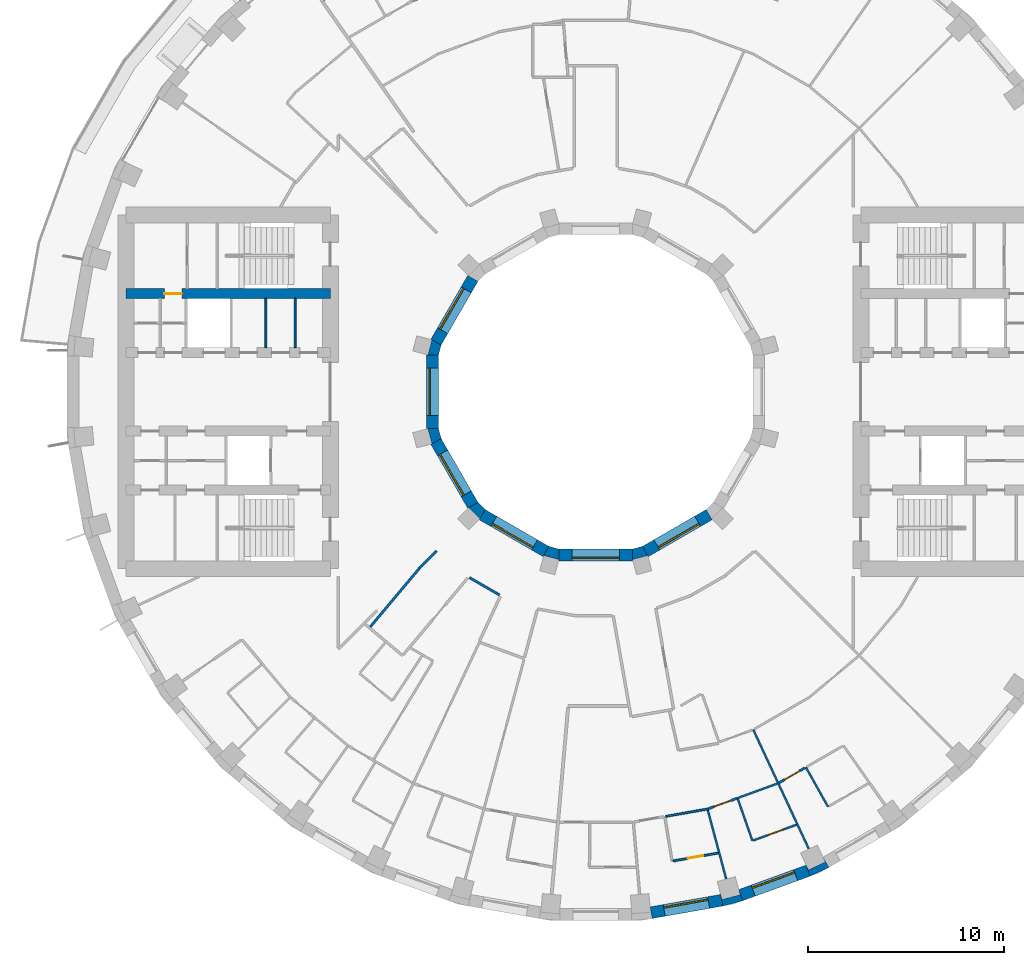
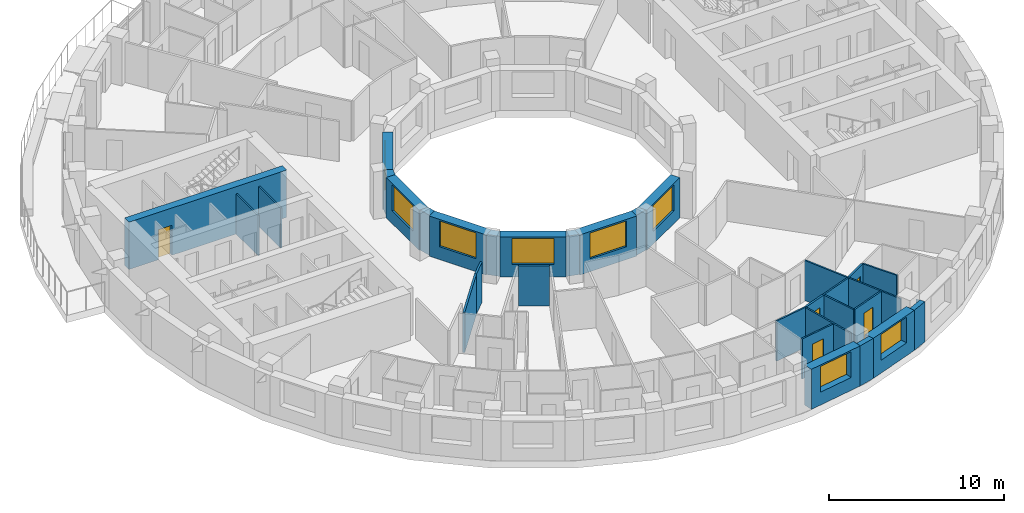
# One storey, part 7 of 15: 31 walls, 8 windows, 5 doors, 13 openings.
"""IFC4 building model written with IfcOpenShell, lengths in metres."""

import ifcopenshell
import ifcopenshell.guid

model = None  # the IFC model being written
_history = None  # IfcOwnerHistory: only IFC2X3 demands one
_inside = {}  # id of a spatial element -> (the spatial element, [elements in it])
_under = {}  # id of a project, library or spatial element -> (it, [spatial elements below it])
_declared = {}  # id of a project -> (the project, [libraries it declares])
_typed = {}  # id of a type object -> (the type object, [elements of that type])
_made_of = {}  # id of a material, layer set ... -> (it, [elements and type objects made of it])


def new_model(schema):
    """Start an empty IFC model of exactly this schema.

    Asked for "IFC4X3", IfcOpenShell would pick the latest addendum, in which some entities
    have other attributes; the version numbers below select the first issue.
    IFC2X3 requires an IfcOwnerHistory on every rooted entity: one is made here for all.
    """
    global model, _history
    if schema == "IFC4X3":
        model = ifcopenshell.file(schema_version=(4, 3, 0, 0))
    else:
        model = ifcopenshell.file(schema=schema)
    _inside.clear()
    _under.clear()
    _declared.clear()
    _typed.clear()
    _made_of.clear()
    _history = None
    if model.schema == "IFC2X3":
        org = make("IfcOrganization", Name="unknown")
        user = make(
            "IfcPersonAndOrganization",
            ThePerson=make("IfcPerson", FamilyName="unknown"),
            TheOrganization=org,
        )
        app = make(
            "IfcApplication",
            ApplicationDeveloper=org,
            Version="unknown",
            ApplicationFullName="unknown",
            ApplicationIdentifier="unknown",
        )
        _history = make(
            "IfcOwnerHistory",
            OwningUser=user,
            OwningApplication=app,
            ChangeAction="ADDED",
            CreationDate=0,
        )
    return model


def make(cls, **values):
    """One entity of the class cls with the attributes given. An attribute that is None is left unset."""
    return model.create_entity(
        cls, **{name: value for name, value in values.items() if value is not None}
    )


def rooted(cls, **values):
    """An entity with a GlobalId (a new one), such as an element, a storey or a relation."""
    return make(cls, GlobalId=ifcopenshell.guid.new(), OwnerHistory=_history, **values)


def si_unit(unit_type, name, prefix=None):
    """IfcSIUnit, for example si_unit("LENGTHUNIT", "METRE", prefix="MILLI")."""
    return make("IfcSIUnit", UnitType=unit_type, Prefix=prefix, Name=name)


def assignment(units):
    """IfcUnitAssignment: the units of a project."""
    return None if units is None else make("IfcUnitAssignment", Units=units)


def point(xyz):
    """IfcCartesianPoint."""
    return None if xyz is None else make("IfcCartesianPoint", Coordinates=xyz)


def direction(xyz):
    """IfcDirection."""
    return None if xyz is None else make("IfcDirection", DirectionRatios=xyz)


def frame(location, z_axis=None, x_axis=None):
    """IfcAxis2Placement3D, a coordinate frame: its origin and axes. An axis left out is left unset."""
    return make(
        "IfcAxis2Placement3D",
        Location=point(location),
        Axis=direction(z_axis),
        RefDirection=direction(x_axis),
    )


def frame_2d(location, x_axis=None):
    """IfcAxis2Placement2D, a coordinate frame in the plane: its origin and x axis."""
    return make(
        "IfcAxis2Placement2D", Location=point(location), RefDirection=direction(x_axis)
    )


def origin():
    """The frame at (0, 0, 0) with its axes left unset."""
    return frame((0.0, 0.0, 0.0))


def place(relative_to, where):
    """IfcLocalPlacement: puts the frame where relative to a parent placement (None: the world)."""
    return make(
        "IfcLocalPlacement", PlacementRelTo=relative_to, RelativePlacement=where
    )


def context(
    kind, dimensions, precision=None, world=None, true_north=None, identifier=None
):
    """IfcGeometricRepresentationContext, for example the 3D "Model" context."""
    return make(
        "IfcGeometricRepresentationContext",
        ContextIdentifier=identifier,
        ContextType=kind,
        CoordinateSpaceDimension=dimensions,
        Precision=precision,
        WorldCoordinateSystem=world,
        TrueNorth=true_north,
    )


def subcontext(parent, identifier, kind, view, scale=None):
    """IfcGeometricRepresentationSubContext, for example "Body" below "Model"."""
    return make(
        "IfcGeometricRepresentationSubContext",
        ContextIdentifier=identifier,
        ContextType=kind,
        ParentContext=parent,
        TargetScale=scale,
        TargetView=view,
    )


def project(units=None, contexts=None):
    """IfcProject with its units and contexts."""
    return rooted(
        "IfcProject",
        Name="project",
        RepresentationContexts=contexts,
        UnitsInContext=assignment(units),
    )


def spatial(cls, under=None, at=None, **own):
    """A site, building, storey or space (cls), placed at a placement, below another one or the project."""
    s = rooted(cls, ObjectPlacement=at, **own)
    if under is not None:
        _under.setdefault(under.id(), (under, []))[1].append(s)
    return s


def polyline(points):
    """IfcPolyline through the points."""
    return make("IfcPolyline", Points=[point(p) for p in points])


def profile(cls, at=None, kind="AREA", **sizes):
    """A parametric profile (cls). Its sizes go by their IFC names, for example OverallWidth=200.0."""
    return make(cls, ProfileType=kind, Position=at, **sizes)


def rectangle(**sizes):
    """IfcRectangleProfileDef."""
    return profile("IfcRectangleProfileDef", **sizes)


def outline(outer, holes=None, kind="AREA"):
    """IfcArbitraryClosedProfileDef: a profile drawn as a closed curve; with holes, ...WithVoids."""
    if holes is None:
        return make("IfcArbitraryClosedProfileDef", ProfileType=kind, OuterCurve=outer)
    return make(
        "IfcArbitraryProfileDefWithVoids",
        ProfileType=kind,
        OuterCurve=outer,
        InnerCurves=holes,
    )


def extrude(swept, where, along, depth):
    """IfcExtrudedAreaSolid: the profile swept, set in the frame where, extruded along a direction by depth."""
    return make(
        "IfcExtrudedAreaSolid",
        SweptArea=swept,
        Position=where,
        ExtrudedDirection=direction(along),
        Depth=depth,
    )


def shape(context_of_items, identifier, shape_type, items):
    """IfcShapeRepresentation: the items that make up one representation, for example the "Body"."""
    return make(
        "IfcShapeRepresentation",
        ContextOfItems=context_of_items,
        RepresentationIdentifier=identifier,
        RepresentationType=shape_type,
        Items=items,
    )


def material(Name=None, Category=None):
    """IfcMaterial."""
    return make("IfcMaterial", Name=Name, Category=Category)


def layer(
    of_material, thickness, ventilated=None, Name=None, Category=None, Priority=None
):
    """IfcMaterialLayer: one layer of a wall or slab, of a material (None: an air gap)."""
    return make(
        "IfcMaterialLayer",
        Material=of_material,
        LayerThickness=thickness,
        IsVentilated=ventilated,
        Name=Name,
        Category=Category,
        Priority=Priority,
    )


def layer_set(layers, Name=None):
    """IfcMaterialLayerSet."""
    return make("IfcMaterialLayerSet", MaterialLayers=layers, LayerSetName=Name)


def made_of(thing, what):
    """Note that an element or type object is made of a material, layer set ...; save() writes the relation."""
    if what is not None:
        _made_of.setdefault(what.id(), (what, []))[1].append(thing)
    return thing


def type_object(cls, material=None, **own):
    """A type object (cls), such as IfcWallType, which elements share."""
    return made_of(rooted(cls, **own), material)


def element(
    cls,
    number,
    at=None,
    inside=None,
    cuts=None,
    type_object=None,
    material=None,
    context=None,
    identifier="Body",
    shape_type=None,
    held_by="IfcProductDefinitionShape",
    body=None,
    shapes=None,
    **own,
):
    """One element of the class cls, such as IfcWall. Its Tag is "e" and its number.

    at: its placement. inside: the storey or other place that contains it. cuts: it is an
    opening in that element (IfcRelVoidsElement). A single representation is given by context,
    identifier, shape_type and body (its items); several are given by shapes. held_by: the class
    of the entity that holds the representations. save() writes the other relations.
    """
    e = rooted(cls, Tag="e%d" % number, ObjectPlacement=at, **own)
    if body is not None:
        shapes = [shape(context, identifier, shape_type, body)]
    if shapes is not None:
        e.Representation = make(held_by, Representations=shapes)
    if inside is not None:
        _inside.setdefault(inside.id(), (inside, []))[1].append(e)
    if cuts is not None:
        rooted(
            "IfcRelVoidsElement", RelatingBuildingElement=cuts, RelatedOpeningElement=e
        )
    if type_object is not None:
        _typed.setdefault(type_object.id(), (type_object, []))[1].append(e)
    return made_of(e, material)


def fill(opening, filler):
    """IfcRelFillsElement: the door or window that sits in an opening."""
    return rooted(
        "IfcRelFillsElement",
        RelatingOpeningElement=opening,
        RelatedBuildingElement=filler,
    )


def aggregate(whole, parts):
    """IfcRelAggregates: a whole, such as a stair, and the parts it consists of."""
    return rooted("IfcRelAggregates", RelatingObject=whole, RelatedObjects=parts)


def save(model, path):
    """Write the relations noted so far, then the file.

    IfcRelAggregates (storeys below a building ...), IfcRelContainedInSpatialStructure (elements
    in a storey), IfcRelDefinesByType, IfcRelAssociatesMaterial and IfcRelDeclares: one each for
    every whole, place, type object, material and project.
    """
    for whole, parts in _under.values():
        aggregate(whole, parts)
    for where, things in _inside.values():
        rooted(
            "IfcRelContainedInSpatialStructure",
            RelatedElements=things,
            RelatingStructure=where,
        )
    for kind, things in _typed.values():
        rooted("IfcRelDefinesByType", RelatedObjects=things, RelatingType=kind)
    for what, things in _made_of.values():
        rooted("IfcRelAssociatesMaterial", RelatedObjects=things, RelatingMaterial=what)
    for by, libraries in _declared.values():
        rooted("IfcRelDeclares", RelatingContext=by, RelatedDefinitions=libraries)
    model.write(path)


model = new_model("IFC4")

# Units and contexts
model_context = context("Model", 3, precision=1e-05, world=origin(), true_north=direction((0.0, 1.0)))
body_context = subcontext(model_context, "Body", "Model", "MODEL_VIEW")
ifc_project = project(units=[si_unit("LENGTHUNIT", "METRE"), si_unit("AREAUNIT", "SQUARE_METRE"), si_unit("VOLUMEUNIT", "CUBIC_METRE"), si_unit("PLANEANGLEUNIT", "RADIAN"), si_unit("MASSUNIT", "GRAM", prefix="KILO")], contexts=[model_context])

# Site, building, storey
site_placement = place(None, origin())
site = spatial("IfcSite", under=ifc_project, at=site_placement, CompositionType="ELEMENT")
building_placement = place(site_placement, origin())
building = spatial("IfcBuilding", under=site, at=building_placement, Name="Saqina Gate Tower", CompositionType="ELEMENT")
storey_placement = place(building_placement, frame((0.0, 0.0, 108.39990234375)))
storey = spatial("IfcBuildingStorey", under=building, at=storey_placement, Name="L30", CompositionType="ELEMENT", Elevation=108.39990234375)

# Walls
ifc_material_1 = material(Name="Brick masonry (buff)", Category="masonry")
wall_type_1 = type_object("IfcWallType", Name="BRICK PIER COPING BUFF", PredefinedType="SOLIDWALL", material=ifc_material_1)
wall_1_placement = place(storey_placement, origin())
element("IfcWall", 1, at=wall_1_placement, inside=storey, type_object=wall_type_1, Name="Pier cap L30 column 29", PredefinedType="SOLIDWALL", context=body_context, shape_type="SweptSolid", body=[
    extrude(outline(polyline([(6.466796875, -26.171875), (7.485595703125, -25.89892578125), (7.2802734375, -25.335205078125), (7.349853515625, -25.5947265625), (6.43212890625, -25.8408203125), (6.36279296875, -25.5810546875), (6.466796875, -26.171875)])), origin(), (0.0, 0.0, 1.0), 2.800048828125),
])
wall_2_placement = place(storey_placement, origin())
element("IfcWall", 2, at=wall_2_placement, inside=storey, type_object=wall_type_1, Name="Pier cap L30 column 30", PredefinedType="SOLIDWALL", context=body_context, shape_type="SweptSolid", body=[
    extrude(outline(polyline([(10.913330078125, -24.6513671875), (11.869140625, -24.205810546875), (11.569091796875, -23.68603515625), (11.6826171875, -23.9296875), (10.82177734375, -24.331298828125), (10.7080078125, -24.08740234375), (10.913330078125, -24.6513671875)])), origin(), (0.0, 0.0, 1.0), 2.800048828125),
])
ifc_material_2 = material(Name="Gypsum board on steel studs", Category="steel")
ifc_layer_1 = layer(ifc_material_2, 0.10009765625)
ifc_layer_set_1 = layer_set([ifc_layer_1], Name="CORE PARTITION")
wall_type_2 = type_object("IfcWallType", Name="CORE PARTITION", PredefinedType="PARTITIONING", material=ifc_layer_set_1)
for number, where, z_axis, x_axis, name in (
    (3, (-15.298095703125, 2.25, 0.0), (0.0, 0.0, 1.0), (0.0, 1.0, 0.0), "L30-CP-W01"),
    (4, (-16.789306640625, 2.25, 0.0), (0.0, 0.0, 1.0), (0.0, 1.0, 0.0), "L30-CP-W02"),
):
    element("IfcWall", number, at=place(storey_placement, frame(where, z_axis=z_axis, x_axis=x_axis)), inside=storey, type_object=wall_type_2, Name=name, PredefinedType="PARTITIONING", context=body_context, shape_type="SweptSolid", body=[
        extrude(rectangle(XDim=2.5, YDim=0.10009765625, at=frame_2d((1.25, 0.0))), origin(), (0.0, 0.0, 1.0), 2.800048828125),
    ])

# Wall, opening, window
ifc_material_3 = material(Name="Brick masonry (buff)", Category="masonry")
ifc_layer_2 = layer(ifc_material_3, 0.60009765625)
ifc_layer_set_2 = layer_set([ifc_layer_2], Name="FW-BRICK-BUFF")
wall_type_3 = type_object("IfcWallType", Name="FW-BRICK-BUFF", PredefinedType="SOLIDWALL", material=ifc_layer_set_2)
wall_3_placement = place(storey_placement, frame((2.822265625, -26.510009765625, 0.0), z_axis=(0.0, 0.0, 1.0), x_axis=(0.984803764455, 0.173670796382, 0.0)))
wall_3 = element("IfcWall", 5, at=wall_3_placement, inside=storey, type_object=wall_type_3, Name="Facade wall L30 facet 28", PredefinedType="SOLIDWALL", context=body_context, shape_type="SweptSolid", body=[
    extrude(rectangle(XDim=3.64794921875, YDim=0.60009765625, at=frame_2d((1.823974609375, 0.0))), origin(), (0.0, 0.0, 1.0), 2.800048828125),
])
opening_1_placement = place(wall_3_placement, frame((0.673828125, 0.0, 0.89990234375)))
opening_1 = element("IfcOpeningElement", 6, at=opening_1_placement, cuts=wall_3, Name="Opening G08-W17", PredefinedType="OPENING", context=body_context, shape_type="SweptSolid", body=[
    extrude(rectangle(XDim=2.300048828125, YDim=1.800048828125, at=frame_2d((1.14990234375, 0.89990234375))), frame((0.0, 0.31201171875, 0.0), z_axis=(0.0, -1.0, 0.0), x_axis=(1.0, 0.0, 0.0)), (0.0, 0.0, 1.0), 0.6240234375),
])
ifc_material_4 = material(Name="Aluminium glazing", Category="aluminium")
window_type_1 = type_object("IfcWindowType", Name="WN-B", PartitioningType="SINGLE_PANEL", PredefinedType="WINDOW", material=ifc_material_4)
window_1_placement = place(opening_1_placement, origin())
window_1 = element("IfcWindow", 7, at=window_1_placement, inside=storey, type_object=window_type_1, Name="Window L30 facet 28", OverallHeight=1.800048828125, OverallWidth=2.300048828125, PartitioningType="SINGLE_PANEL", PredefinedType="WINDOW", context=body_context, shape_type="SweptSolid", body=[
    extrude(rectangle(XDim=2.300048828125, YDim=1.800048828125, at=frame_2d((1.14990234375, 0.89990234375))), frame((0.0, 0.179931640625, 0.0), z_axis=(0.0, -1.0, 0.0), x_axis=(1.0, 0.0, 0.0)), (0.0, 0.0, 1.0), 0.06005859375),
])
fill(opening_1, window_1)

wall_4_placement = place(storey_placement, frame((7.3828125, -25.616943359375, 0.0), z_axis=(0.0, 0.0, 1.0), x_axis=(0.939703505393, 0.341990236633, 0.0)))
wall_4 = element("IfcWall", 8, at=wall_4_placement, inside=storey, type_object=wall_type_3, Name="Facade wall L30 facet 29", PredefinedType="SOLIDWALL", context=body_context, shape_type="SweptSolid", body=[
    extrude(rectangle(XDim=3.64794921875, YDim=0.60009765625, at=frame_2d((1.823974609375, 0.0))), origin(), (0.0, 0.0, 1.0), 2.800048828125),
])
opening_2_placement = place(wall_4_placement, frame((0.673828125, 0.0, 0.89990234375)))
opening_2 = element("IfcOpeningElement", 9, at=opening_2_placement, cuts=wall_4, Name="Opening G08-W18", PredefinedType="OPENING", context=body_context, shape_type="SweptSolid", body=[
    extrude(rectangle(XDim=2.300048828125, YDim=1.800048828125, at=frame_2d((1.14990234375, 0.89990234375))), frame((0.0, 0.31201171875, 0.0), z_axis=(0.0, -1.0, 0.0), x_axis=(1.0, 0.0, 0.0)), (0.0, 0.0, 1.0), 0.6240234375),
])
window_2_placement = place(opening_2_placement, origin())
window_2 = element("IfcWindow", 10, at=window_2_placement, inside=storey, type_object=window_type_1, Name="Window L30 facet 29", OverallHeight=1.800048828125, OverallWidth=2.300048828125, PartitioningType="SINGLE_PANEL", PredefinedType="WINDOW", context=body_context, shape_type="SweptSolid", body=[
    extrude(rectangle(XDim=2.300048828125, YDim=1.800048828125, at=frame_2d((1.14990234375, 0.89990234375))), frame((0.0, 0.179931640625, 0.0), z_axis=(0.0, -1.0, 0.0), x_axis=(1.0, 0.0, 0.0)), (0.0, 0.0, 1.0), 0.06005859375),
])
fill(opening_2, window_2)

ifc_material_5 = material(Name="Glazed ceramic tile", Category="ceramic")
ifc_layer_3 = layer(ifc_material_5, 0.60009765625)
ifc_layer_set_3 = layer_set([ifc_layer_3], Name="IW-TILE")
wall_type_4 = type_object("IfcWallType", Name="IW-TILE", PredefinedType="SOLIDWALL", material=ifc_layer_set_3)
wall_5_placement = place(storey_placement, frame((-6.251220703125, 5.772705078125, 0.0), z_axis=(0.0, 0.0, 1.0), x_axis=(-0.499964958637, -0.86604563398, 0.0)))
wall_5 = element("IfcWall", 11, at=wall_5_placement, inside=storey, type_object=wall_type_4, Name="Well wall L30 facet 5", PredefinedType="SOLIDWALL", context=body_context, shape_type="SweptSolid", body=[
    extrude(rectangle(XDim=3.747314453125, YDim=0.60009765625, at=frame_2d((1.87353515625, 0.0))), origin(), (0.0, 0.0, 1.0), 2.800048828125),
])
opening_3_placement = place(wall_5_placement, frame((0.673583984375, 0.0, 0.89990234375)))
opening_3 = element("IfcOpeningElement", 12, at=opening_3_placement, cuts=wall_5, Name="Opening G08-W27", PredefinedType="OPENING", context=body_context, shape_type="SweptSolid", body=[
    extrude(rectangle(XDim=2.39990234375, YDim=1.800048828125, at=frame_2d((1.199951171875, 0.89990234375))), frame((0.0, 0.31201171875, 0.0), z_axis=(0.0, -1.0, 0.0), x_axis=(1.0, 0.0, 0.0)), (0.0, 0.0, 1.0), 0.6240234375),
])
ifc_material_6 = material(Name="Aluminium glazing", Category="aluminium")
window_type_2 = type_object("IfcWindowType", Name="WN-W", PartitioningType="SINGLE_PANEL", PredefinedType="WINDOW", material=ifc_material_6)
window_3_placement = place(opening_3_placement, origin())
window_3 = element("IfcWindow", 13, at=window_3_placement, inside=storey, type_object=window_type_2, Name="Well window L30 facet 5", OverallHeight=1.800048828125, OverallWidth=2.39990234375, PartitioningType="SINGLE_PANEL", PredefinedType="WINDOW", context=body_context, shape_type="SweptSolid", body=[
    extrude(rectangle(XDim=2.39990234375, YDim=1.800048828125, at=frame_2d((1.199951171875, 0.89990234375))), frame((0.0, -0.119873046875, 0.0), z_axis=(0.0, -1.0, 0.0), x_axis=(1.0, 0.0, 0.0)), (0.0, 0.0, 1.0), 0.06005859375),
])
fill(opening_3, window_3)

wall_6_placement = place(storey_placement, frame((-8.300048828125, 1.873779296875, 0.0), z_axis=(0.0, 0.0, 1.0), x_axis=(0.0, -1.0, 0.0)))
wall_6 = element("IfcWall", 14, at=wall_6_placement, inside=storey, type_object=wall_type_4, Name="Well wall L30 facet 6", PredefinedType="SOLIDWALL", context=body_context, shape_type="SweptSolid", body=[
    extrude(rectangle(XDim=3.74755859375, YDim=0.60009765625, at=frame_2d((1.873779296875, 0.0))), origin(), (0.0, 0.0, 1.0), 2.800048828125),
])
opening_4_placement = place(wall_6_placement, frame((0.673583984375, 0.0, 0.89990234375)))
opening_4 = element("IfcOpeningElement", 15, at=opening_4_placement, cuts=wall_6, Name="Opening G08-W28", PredefinedType="OPENING", context=body_context, shape_type="SweptSolid", body=[
    extrude(rectangle(XDim=2.39990234375, YDim=1.800048828125, at=frame_2d((1.199951171875, 0.89990234375))), frame((0.0, 0.31201171875, 0.0), z_axis=(0.0, -1.0, 0.0), x_axis=(1.0, 0.0, 0.0)), (0.0, 0.0, 1.0), 0.6240234375),
])
window_4_placement = place(opening_4_placement, origin())
window_4 = element("IfcWindow", 16, at=window_4_placement, inside=storey, type_object=window_type_2, Name="Well window L30 facet 6", OverallHeight=1.800048828125, OverallWidth=2.39990234375, PartitioningType="SINGLE_PANEL", PredefinedType="WINDOW", context=body_context, shape_type="SweptSolid", body=[
    extrude(rectangle(XDim=2.39990234375, YDim=1.800048828125, at=frame_2d((1.199951171875, 0.89990234375))), frame((0.0, -0.119873046875, 0.0), z_axis=(0.0, -1.0, 0.0), x_axis=(1.0, 0.0, 0.0)), (0.0, 0.0, 1.0), 0.06005859375),
])
fill(opening_4, window_4)

wall_7_placement = place(storey_placement, frame((-8.124755859375, -2.52734375, 0.0), z_axis=(0.0, 0.0, 1.0), x_axis=(0.499964958637, -0.86604563398, 0.0)))
wall_7 = element("IfcWall", 17, at=wall_7_placement, inside=storey, type_object=wall_type_4, Name="Well wall L30 facet 7", PredefinedType="SOLIDWALL", context=body_context, shape_type="SweptSolid", body=[
    extrude(rectangle(XDim=3.747314453125, YDim=0.60009765625, at=frame_2d((1.87353515625, 0.0))), origin(), (0.0, 0.0, 1.0), 2.800048828125),
])
opening_5_placement = place(wall_7_placement, frame((0.673583984375, 0.0, 0.89990234375)))
opening_5 = element("IfcOpeningElement", 18, at=opening_5_placement, cuts=wall_7, Name="Opening G08-W29", PredefinedType="OPENING", context=body_context, shape_type="SweptSolid", body=[
    extrude(rectangle(XDim=2.39990234375, YDim=1.800048828125, at=frame_2d((1.199951171875, 0.89990234375))), frame((0.0, 0.31201171875, 0.0), z_axis=(0.0, -1.0, 0.0), x_axis=(1.0, 0.0, 0.0)), (0.0, 0.0, 1.0), 0.6240234375),
])
window_5_placement = place(opening_5_placement, origin())
window_5 = element("IfcWindow", 19, at=window_5_placement, inside=storey, type_object=window_type_2, Name="Well window L30 facet 7", OverallHeight=1.800048828125, OverallWidth=2.39990234375, PartitioningType="SINGLE_PANEL", PredefinedType="WINDOW", context=body_context, shape_type="SweptSolid", body=[
    extrude(rectangle(XDim=2.39990234375, YDim=1.800048828125, at=frame_2d((1.199951171875, 0.89990234375))), frame((0.0, -0.119873046875, 0.0), z_axis=(0.0, -1.0, 0.0), x_axis=(1.0, 0.0, 0.0)), (0.0, 0.0, 1.0), 0.06005859375),
])
fill(opening_5, window_5)

wall_8_placement = place(storey_placement, frame((-5.772705078125, -6.251220703125, 0.0), z_axis=(0.0, 0.0, 1.0), x_axis=(0.86604563398, -0.499964958637, 0.0)))
wall_8 = element("IfcWall", 20, at=wall_8_placement, inside=storey, type_object=wall_type_4, Name="Well wall L30 facet 8", PredefinedType="SOLIDWALL", context=body_context, shape_type="SweptSolid", body=[
    extrude(rectangle(XDim=3.747314453125, YDim=0.60009765625, at=frame_2d((1.87353515625, 0.0))), origin(), (0.0, 0.0, 1.0), 2.800048828125),
])
opening_6_placement = place(wall_8_placement, frame((0.673583984375, 0.0, 0.89990234375)))
opening_6 = element("IfcOpeningElement", 21, at=opening_6_placement, cuts=wall_8, Name="Opening G08-W30", PredefinedType="OPENING", context=body_context, shape_type="SweptSolid", body=[
    extrude(rectangle(XDim=2.39990234375, YDim=1.800048828125, at=frame_2d((1.199951171875, 0.89990234375))), frame((0.0, 0.31201171875, 0.0), z_axis=(0.0, -1.0, 0.0), x_axis=(1.0, 0.0, 0.0)), (0.0, 0.0, 1.0), 0.6240234375),
])
window_6_placement = place(opening_6_placement, origin())
window_6 = element("IfcWindow", 22, at=window_6_placement, inside=storey, type_object=window_type_2, Name="Well window L30 facet 8", OverallHeight=1.800048828125, OverallWidth=2.39990234375, PartitioningType="SINGLE_PANEL", PredefinedType="WINDOW", context=body_context, shape_type="SweptSolid", body=[
    extrude(rectangle(XDim=2.39990234375, YDim=1.800048828125, at=frame_2d((1.199951171875, 0.89990234375))), frame((0.0, -0.119873046875, 0.0), z_axis=(0.0, -1.0, 0.0), x_axis=(1.0, 0.0, 0.0)), (0.0, 0.0, 1.0), 0.06005859375),
])
fill(opening_6, window_6)

wall_9_placement = place(storey_placement, frame((-1.873779296875, -8.300048828125, 0.0), z_axis=(0.0, 0.0, 1.0), x_axis=(1.0, 0.0, 0.0)))
wall_9 = element("IfcWall", 23, at=wall_9_placement, inside=storey, type_object=wall_type_4, Name="Well wall L30 facet 9", PredefinedType="SOLIDWALL", context=body_context, shape_type="SweptSolid", body=[
    extrude(rectangle(XDim=3.74755859375, YDim=0.60009765625, at=frame_2d((1.873779296875, 0.0))), origin(), (0.0, 0.0, 1.0), 2.800048828125),
])
opening_7_placement = place(wall_9_placement, frame((0.673583984375, 0.0, 0.89990234375)))
opening_7 = element("IfcOpeningElement", 24, at=opening_7_placement, cuts=wall_9, Name="Opening G08-W31", PredefinedType="OPENING", context=body_context, shape_type="SweptSolid", body=[
    extrude(rectangle(XDim=2.39990234375, YDim=1.800048828125, at=frame_2d((1.199951171875, 0.89990234375))), frame((0.0, 0.31201171875, 0.0), z_axis=(0.0, -1.0, 0.0), x_axis=(1.0, 0.0, 0.0)), (0.0, 0.0, 1.0), 0.6240234375),
])
window_7_placement = place(opening_7_placement, origin())
window_7 = element("IfcWindow", 25, at=window_7_placement, inside=storey, type_object=window_type_2, Name="Well window L30 facet 9", OverallHeight=1.800048828125, OverallWidth=2.39990234375, PartitioningType="SINGLE_PANEL", PredefinedType="WINDOW", context=body_context, shape_type="SweptSolid", body=[
    extrude(rectangle(XDim=2.39990234375, YDim=1.800048828125, at=frame_2d((1.199951171875, 0.89990234375))), frame((0.0, -0.119873046875, 0.0), z_axis=(0.0, -1.0, 0.0), x_axis=(1.0, 0.0, 0.0)), (0.0, 0.0, 1.0), 0.06005859375),
])
fill(opening_7, window_7)

wall_10_placement = place(storey_placement, frame((2.52734375, -8.124755859375, 0.0), z_axis=(0.0, 0.0, 1.0), x_axis=(0.86604563398, 0.499964958637, 0.0)))
wall_10 = element("IfcWall", 26, at=wall_10_placement, inside=storey, type_object=wall_type_4, Name="Well wall L30 facet 10", PredefinedType="SOLIDWALL", context=body_context, shape_type="SweptSolid", body=[
    extrude(rectangle(XDim=3.747314453125, YDim=0.60009765625, at=frame_2d((1.87353515625, 0.0))), origin(), (0.0, 0.0, 1.0), 2.800048828125),
])
opening_8_placement = place(wall_10_placement, frame((0.673583984375, 0.0, 0.89990234375)))
opening_8 = element("IfcOpeningElement", 27, at=opening_8_placement, cuts=wall_10, Name="Opening G08-W32", PredefinedType="OPENING", context=body_context, shape_type="SweptSolid", body=[
    extrude(rectangle(XDim=2.39990234375, YDim=1.800048828125, at=frame_2d((1.199951171875, 0.89990234375))), frame((0.0, 0.31201171875, 0.0), z_axis=(0.0, -1.0, 0.0), x_axis=(1.0, 0.0, 0.0)), (0.0, 0.0, 1.0), 0.6240234375),
])
window_8_placement = place(opening_8_placement, origin())
window_8 = element("IfcWindow", 28, at=window_8_placement, inside=storey, type_object=window_type_2, Name="Well window L30 facet 10", OverallHeight=1.800048828125, OverallWidth=2.39990234375, PartitioningType="SINGLE_PANEL", PredefinedType="WINDOW", context=body_context, shape_type="SweptSolid", body=[
    extrude(rectangle(XDim=2.39990234375, YDim=1.800048828125, at=frame_2d((1.199951171875, 0.89990234375))), frame((0.0, -0.119873046875, 0.0), z_axis=(0.0, -1.0, 0.0), x_axis=(1.0, 0.0, 0.0)), (0.0, 0.0, 1.0), 0.06005859375),
])
fill(opening_8, window_8)

# Walls
ifc_material_7 = material(Name="Gypsum board on steel studs, 100 mm", Category="steel")
ifc_layer_4 = layer(ifc_material_7, 0.10009765625)
ifc_layer_set_4 = layer_set([ifc_layer_4], Name="PARTITION 100")
wall_type_5 = type_object("IfcWallType", Name="PARTITION 100", PredefinedType="PARTITIONING", material=ifc_layer_set_4)
wall_11_placement = place(storey_placement, frame((5.70556640625, -21.292236328125, 0.0), z_axis=(0.0, 0.0, 1.0), x_axis=(0.258396854417, -0.966038853063, 0.0)))
element("IfcWall", 29, at=wall_11_placement, inside=storey, type_object=wall_type_5, Name="PARTITION PW3-08", PredefinedType="PARTITIONING", context=body_context, shape_type="SweptSolid", body=[
    extrude(rectangle(XDim=3.62158203125, YDim=0.10009765625, at=frame_2d((1.810791015625, 0.0))), origin(), (0.0, 0.0, 1.0), 2.800048828125),
])
wall_12_placement = place(storey_placement, frame((7.234375, -20.72314453125, 0.0), z_axis=(0.0, 0.0, 1.0), x_axis=(0.329707399535, -0.944083169372, 0.0)))
element("IfcWall", 30, at=wall_12_placement, inside=storey, type_object=wall_type_5, Name="PARTITION PW3-09", PredefinedType="PARTITIONING", context=body_context, shape_type="SweptSolid", body=[
    extrude(rectangle(XDim=2.24951171875, YDim=0.10009765625, at=frame_2d((1.124755859375, 0.0))), origin(), (0.0, 0.0, 1.0), 2.800048828125),
])
wall_13_placement = place(storey_placement, frame((8.01806640625, -17.194091796875, 0.0), z_axis=(0.0, 0.0, 1.0), x_axis=(0.422490057257, -0.906367558731, 0.0)))
element("IfcWall", 31, at=wall_13_placement, inside=storey, type_object=wall_type_5, Name="PARTITION PW3-13", PredefinedType="PARTITIONING", context=body_context, shape_type="SweptSolid", body=[
    extrude(rectangle(XDim=6.693359375, YDim=0.10009765625, at=frame_2d((3.3466796875, 0.0))), origin(), (0.0, 0.0, 1.0), 2.800048828125),
])
wall_14_placement = place(storey_placement, frame((10.697998046875, -19.10791015625, 0.0), z_axis=(0.0, 0.0, 1.0), x_axis=(0.488622759198, -0.872495157117, 0.0)))
element("IfcWall", 32, at=wall_14_placement, inside=storey, type_object=wall_type_5, Name="PARTITION PW3-15", PredefinedType="PARTITIONING", context=body_context, shape_type="SweptSolid", body=[
    extrude(rectangle(XDim=2.30029296875, YDim=0.10009765625, at=frame_2d((1.150146484375, 0.0))), origin(), (0.0, 0.0, 1.0), 2.800048828125),
])

# Wall, opening, door
wall_15_placement = place(storey_placement, frame((3.936279296875, -23.876220703125, 0.0), z_axis=(0.0, 0.0, 1.0), x_axis=(0.98482979879, 0.173523103404, 0.0)))
wall_15 = element("IfcWall", 33, at=wall_15_placement, inside=storey, type_object=wall_type_5, Name="PARTITION PW3-47", PredefinedType="PARTITIONING", context=body_context, shape_type="SweptSolid", body=[
    extrude(rectangle(XDim=2.3369140625, YDim=0.10009765625, at=frame_2d((1.16845703125, 0.0))), origin(), (0.0, 0.0, 1.0), 2.800048828125),
])
opening_9_placement = place(wall_15_placement, frame((0.7685546875, 0.0, 0.0)))
opening_9 = element("IfcOpeningElement", 34, at=opening_9_placement, cuts=wall_15, Name="Opening G08-D40", PredefinedType="OPENING", context=body_context, shape_type="SweptSolid", body=[
    extrude(rectangle(XDim=0.800048828125, YDim=2.10009765625, at=frame_2d((0.39990234375, 1.050048828125))), frame((0.0, 0.06201171875, 0.0), z_axis=(0.0, -1.0, 0.0), x_axis=(1.0, 0.0, 0.0)), (0.0, 0.0, 1.0), 0.1240234375),
])
ifc_material_8 = material(Name="Timber door leaf, 800 mm", Category="wood")
door_type_1 = type_object("IfcDoorType", Name="DOOR 800 TIMBER", OperationType="SINGLE_SWING_LEFT", PredefinedType="DOOR", material=ifc_material_8)
door_1_placement = place(opening_9_placement, frame((0.800048828125, 0.0, 0.0), z_axis=(0.0, 0.0, 1.0), x_axis=(-1.0, 0.0, 0.0)))
door_1 = element("IfcDoor", 35, at=door_1_placement, inside=storey, type_object=door_type_1, Name="DOOR G08-D40", OperationType="SINGLE_SWING_LEFT", OverallHeight=2.10009765625, OverallWidth=0.800048828125, PredefinedType="DOOR", context=body_context, shape_type="SweptSolid", body=[
    extrude(rectangle(XDim=0.800048828125, YDim=2.10009765625, at=frame_2d((0.39990234375, 1.050048828125))), frame((0.0, 0.02490234375, 0.0), z_axis=(0.0, -1.0, 0.0), x_axis=(1.0, 0.0, 0.0)), (0.0, 0.0, 1.0), 0.050048828125),
])
fill(opening_9, door_1)

# Wall
wall_16_placement = place(storey_placement, frame((3.567138671875, -21.606201171875, 0.0), z_axis=(0.0, 0.0, 1.0), x_axis=(0.984800270927, 0.173690605338, 0.0)))
element("IfcWall", 36, at=wall_16_placement, inside=storey, type_object=wall_type_5, Name="PARTITION PW3-48", PredefinedType="PARTITIONING", context=body_context, shape_type="SweptSolid", body=[
    extrude(rectangle(XDim=2.205322265625, YDim=0.10009765625, at=frame_2d((1.1025390625, 0.0))), origin(), (0.0, 0.0, 1.0), 2.800048828125),
])

# Wall, opening, door
wall_17_placement = place(storey_placement, frame((8.02294921875, -22.829833984375, 0.0), z_axis=(0.0, 0.0, 1.0), x_axis=(0.939707949959, 0.341978023831, 0.0)))
wall_17 = element("IfcWall", 37, at=wall_17_placement, inside=storey, type_object=wall_type_5, Name="PARTITION PW3-54", PredefinedType="PARTITIONING", context=body_context, shape_type="SweptSolid", body=[
    extrude(rectangle(XDim=2.3359375, YDim=0.10009765625, at=frame_2d((1.16796875, 0.0))), origin(), (0.0, 0.0, 1.0), 2.800048828125),
])
opening_10_placement = place(wall_17_placement, frame((0.767822265625, 0.0, 0.0)))
opening_10 = element("IfcOpeningElement", 38, at=opening_10_placement, cuts=wall_17, Name="Opening G08-D44", PredefinedType="OPENING", context=body_context, shape_type="SweptSolid", body=[
    extrude(rectangle(XDim=0.800048828125, YDim=2.10009765625, at=frame_2d((0.39990234375, 1.050048828125))), frame((0.0, 0.06201171875, 0.0), z_axis=(0.0, -1.0, 0.0), x_axis=(1.0, 0.0, 0.0)), (0.0, 0.0, 1.0), 0.1240234375),
])
door_2_placement = place(opening_10_placement, frame((0.800048828125, 0.0, 0.0), z_axis=(0.0, 0.0, 1.0), x_axis=(-1.0, 0.0, 0.0)))
door_2 = element("IfcDoor", 39, at=door_2_placement, inside=storey, type_object=door_type_1, Name="DOOR G08-D44", OperationType="SINGLE_SWING_RIGHT", OverallHeight=2.10009765625, OverallWidth=0.800048828125, PredefinedType="DOOR", context=body_context, shape_type="SweptSolid", body=[
    extrude(rectangle(XDim=0.800048828125, YDim=2.10009765625, at=frame_2d((0.39990234375, 1.050048828125))), frame((0.0, 0.02490234375, 0.0), z_axis=(0.0, -1.0, 0.0), x_axis=(1.0, 0.0, 0.0)), (0.0, 0.0, 1.0), 0.050048828125),
])
fill(opening_10, door_2)

# Walls
wall_18_placement = place(storey_placement, frame((7.171142578125, -20.693115234375, 0.0), z_axis=(0.0, 0.0, 1.0), x_axis=(0.939573404597, 0.342347509665, 0.0)))
element("IfcWall", 40, at=wall_18_placement, inside=storey, type_object=wall_type_5, Name="PARTITION PW3-55", PredefinedType="PARTITIONING", context=body_context, shape_type="SweptSolid", body=[
    extrude(rectangle(XDim=2.205078125, YDim=0.10009765625, at=frame_2d((1.1025390625, 0.0))), origin(), (0.0, 0.0, 1.0), 2.800048828125),
])
ifc_material_9 = material(Name="Gypsum board on steel studs, 125 mm, fire rated", Category="steel")
ifc_layer_5 = layer(ifc_material_9, 0.125)
ifc_layer_set_5 = layer_set([ifc_layer_5], Name="PARTITION EI 30 125")
wall_type_6 = type_object("IfcWallType", Name="PARTITION EI 30 125", PredefinedType="PARTITIONING", material=ifc_layer_set_5)
wall_19_placement = place(storey_placement, frame((-6.42138671875, -9.456298828125, 0.0), z_axis=(0.0, 0.0, 1.0), x_axis=(0.866118896865, -0.499838030259, 0.0)))
element("IfcWall", 41, at=wall_19_placement, inside=storey, type_object=wall_type_6, Name="PARTITION PW1-16", PredefinedType="PARTITIONING", context=body_context, shape_type="SweptSolid", body=[
    extrude(rectangle(XDim=1.767578125, YDim=0.125, at=frame_2d((0.8837890625, 0.0))), origin(), (0.0, 0.0, 1.0), 2.800048828125),
])

# Wall, opening, door
wall_20_placement = place(storey_placement, frame((5.736083984375, -21.21484375, 0.0), z_axis=(0.0, 0.0, 1.0), x_axis=(0.939798092341, 0.34173022347, 0.0)))
wall_20 = element("IfcWall", 42, at=wall_20_placement, inside=storey, type_object=wall_type_6, Name="PARTITION PW1-34", PredefinedType="PARTITIONING", context=body_context, shape_type="SweptSolid", body=[
    extrude(rectangle(XDim=1.526611328125, YDim=0.125, at=frame_2d((0.76318359375, 0.0))), origin(), (0.0, 0.0, 1.0), 2.800048828125),
])
opening_11_placement = place(wall_20_placement, frame((0.31396484375, 0.0, 0.0)))
opening_11 = element("IfcOpeningElement", 43, at=opening_11_placement, cuts=wall_20, Name="Opening G08-D42", PredefinedType="OPENING", context=body_context, shape_type="SweptSolid", body=[
    extrude(rectangle(XDim=0.89990234375, YDim=2.10009765625, at=frame_2d((0.449951171875, 1.050048828125))), frame((0.0, 0.074462890625, 0.0), z_axis=(0.0, -1.0, 0.0), x_axis=(1.0, 0.0, 0.0)), (0.0, 0.0, 1.0), 0.14892578125),
])
ifc_material_10 = material(Name="Fire door leaf EI 30, 900 mm")
door_type_2 = type_object("IfcDoorType", Name="DOOR 900 EI 30", OperationType="SINGLE_SWING_LEFT", PredefinedType="DOOR", material=ifc_material_10)
door_3_placement = place(opening_11_placement, origin())
door_3 = element("IfcDoor", 44, at=door_3_placement, inside=storey, type_object=door_type_2, Name="DOOR G08-D42", OperationType="SINGLE_SWING_LEFT", OverallHeight=2.10009765625, OverallWidth=0.89990234375, PredefinedType="DOOR", context=body_context, shape_type="SweptSolid", body=[
    extrude(rectangle(XDim=0.89990234375, YDim=2.10009765625, at=frame_2d((0.449951171875, 1.050048828125))), frame((0.0, 0.02490234375, 0.0), z_axis=(0.0, -1.0, 0.0), x_axis=(1.0, 0.0, 0.0)), (0.0, 0.0, 1.0), 0.050048828125),
])
fill(opening_11, door_3)

wall_21_placement = place(storey_placement, frame((9.333251953125, -19.89599609375, 0.0), z_axis=(0.0, 0.0, 1.0), x_axis=(0.86603905187, 0.499976360077, 0.0)))
wall_21 = element("IfcWall", 45, at=wall_21_placement, inside=storey, type_object=wall_type_6, Name="PARTITION PW1-38", PredefinedType="PARTITIONING", context=body_context, shape_type="SweptSolid", body=[
    extrude(rectangle(XDim=1.52587890625, YDim=0.125, at=frame_2d((0.762939453125, 0.0))), origin(), (0.0, 0.0, 1.0), 2.800048828125),
])
opening_12_placement = place(wall_21_placement, frame((0.3134765625, 0.0, 0.0)))
opening_12 = element("IfcOpeningElement", 46, at=opening_12_placement, cuts=wall_21, Name="Opening G08-D46", PredefinedType="OPENING", context=body_context, shape_type="SweptSolid", body=[
    extrude(rectangle(XDim=0.89990234375, YDim=2.10009765625, at=frame_2d((0.449951171875, 1.050048828125))), frame((0.0, 0.074462890625, 0.0), z_axis=(0.0, -1.0, 0.0), x_axis=(1.0, 0.0, 0.0)), (0.0, 0.0, 1.0), 0.14892578125),
])
door_4_placement = place(opening_12_placement, origin())
door_4 = element("IfcDoor", 47, at=door_4_placement, inside=storey, type_object=door_type_2, Name="DOOR G08-D46", OperationType="SINGLE_SWING_LEFT", OverallHeight=2.10009765625, OverallWidth=0.89990234375, PredefinedType="DOOR", context=body_context, shape_type="SweptSolid", body=[
    extrude(rectangle(XDim=0.89990234375, YDim=2.10009765625, at=frame_2d((0.449951171875, 1.050048828125))), frame((0.0, 0.02490234375, 0.0), z_axis=(0.0, -1.0, 0.0), x_axis=(1.0, 0.0, 0.0)), (0.0, 0.0, 1.0), 0.050048828125),
])
fill(opening_12, door_4)

# Walls
wall_22_placement = place(storey_placement, frame((-8.967529296875, -8.967529296875, 0.0), z_axis=(0.0, 0.0, 1.0), x_axis=(0.707106781187, 0.707106781187, 0.0)))
element("IfcWall", 48, at=wall_22_placement, inside=storey, type_object=wall_type_6, Name="PARTITION PW1-46", PredefinedType="PARTITIONING", context=body_context, shape_type="SweptSolid", body=[
    extrude(rectangle(XDim=1.238037109375, YDim=0.125, at=frame_2d((0.619140625, 0.0))), origin(), (0.0, 0.0, 1.0), 2.800048828125),
])
wall_23_placement = place(storey_placement, frame((-11.472900390625, -11.961181640625, 0.0), z_axis=(0.0, 0.0, 1.0), x_axis=(0.642813583638, 0.766022647636, 0.0)))
element("IfcWall", 49, at=wall_23_placement, inside=storey, type_object=wall_type_6, Name="PARTITION PW1-49", PredefinedType="PARTITIONING", context=body_context, shape_type="SweptSolid", body=[
    extrude(rectangle(XDim=3.903564453125, YDim=0.125, at=frame_2d((1.95166015625, 0.0))), origin(), (0.0, 0.0, 1.0), 2.800048828125),
])

# Wall, opening, door
ifc_material_11 = material(Name="Concrete C70/85", Category="concrete")
ifc_layer_6 = layer(ifc_material_11, 0.5)
ifc_layer_set_6 = layer_set([ifc_layer_6], Name="Concrete C70/85")
wall_type_7 = type_object("IfcWallType", Name="STR-CORE WALL-B-I", PredefinedType="SHEAR", material=ifc_layer_set_6)
wall_24_placement = place(storey_placement, frame((-13.5, 5.0, 0.0), z_axis=(0.0, 0.0, 1.0), x_axis=(-1.0, 0.0, 0.0)))
wall_24 = element("IfcWall", 50, at=wall_24_placement, inside=storey, type_object=wall_type_7, Name="CORE WALL L30 W-X1", PredefinedType="SHEAR", context=body_context, shape_type="SweptSolid", body=[
    extrude(rectangle(XDim=10.39990234375, YDim=0.5, at=frame_2d((5.199951171875, 0.0))), origin(), (0.0, 0.0, 1.0), 3.300048828125),
])
opening_13_placement = place(wall_24_placement, frame((7.554931640625, 0.0, 0.0)))
opening_13 = element("IfcOpeningElement", 51, at=opening_13_placement, cuts=wall_24, Name="Opening G08-D121", PredefinedType="OPENING", context=body_context, shape_type="SweptSolid", body=[
    extrude(rectangle(XDim=0.89990234375, YDim=2.10009765625, at=frame_2d((0.449951171875, 1.050048828125))), frame((0.0, 0.261962890625, 0.0), z_axis=(0.0, -1.0, 0.0), x_axis=(1.0, 0.0, 0.0)), (0.0, 0.0, 1.0), 0.52392578125),
])
ifc_material_12 = material(Name="Steel-framed fire door leaf, EI 60", Category="steel")
door_type_3 = type_object("IfcDoorType", Name="SERVICE ROOM DOOR 900", OperationType="SINGLE_SWING_LEFT", PredefinedType="DOOR", material=ifc_material_12)
door_5_placement = place(opening_13_placement, frame((0.89990234375, 0.0, 0.0), z_axis=(0.0, 0.0, 1.0), x_axis=(-1.0, 0.0, 0.0)))
door_5 = element("IfcDoor", 52, at=door_5_placement, inside=storey, type_object=door_type_3, Name="L30-CD-W32", OperationType="SINGLE_SWING_RIGHT", OverallHeight=2.10009765625, OverallWidth=0.89990234375, PredefinedType="DOOR", context=body_context, shape_type="SweptSolid", body=[
    extrude(rectangle(XDim=0.89990234375, YDim=2.10009765625, at=frame_2d((0.449951171875, 1.050048828125))), frame((0.0, 0.02490234375, 0.0), z_axis=(0.0, -1.0, 0.0), x_axis=(1.0, 0.0, 0.0)), (0.0, 0.0, 1.0), 0.050048828125),
])
fill(opening_13, door_5)

# Walls
ifc_material_13 = material(Name="Glazed ceramic tile", Category="ceramic")
wall_type_8 = type_object("IfcWallType", Name="TILE PIER COPING", PredefinedType="SOLIDWALL", material=ifc_material_13)
wall_25_placement = place(storey_placement, origin())
element("IfcWall", 53, at=wall_25_placement, inside=storey, type_object=wall_type_8, Name="Well pier cap L30 column 6", PredefinedType="SOLIDWALL", context=body_context, shape_type="SweptSolid", body=[
    extrude(outline(polyline([(-8.5380859375, 1.873779296875), (-8.0, 1.873779296875), (-7.864990234375, 2.377197265625), (-8.3310546875, 2.646484375), (-8.5380859375, 1.873779296875)])), origin(), (0.0, 0.0, 1.0), 2.800048828125),
])
wall_26_placement = place(storey_placement, origin())
element("IfcWall", 54, at=wall_26_placement, inside=storey, type_object=wall_type_8, Name="Well pier cap L30 column 7", PredefinedType="SOLIDWALL", context=body_context, shape_type="SweptSolid", body=[
    extrude(outline(polyline([(-8.3310546875, -2.646484375), (-7.864990234375, -2.377197265625), (-8.0, -1.873779296875), (-8.5380859375, -1.873779296875), (-8.3310546875, -2.646484375)])), origin(), (0.0, 0.0, 1.0), 2.800048828125),
])
wall_27_placement = place(storey_placement, origin())
element("IfcWall", 55, at=wall_27_placement, inside=storey, type_object=wall_type_8, Name="Well pier cap L30 column 8", PredefinedType="SOLIDWALL", context=body_context, shape_type="SweptSolid", body=[
    extrude(outline(polyline([(-6.45751953125, -5.891845703125), (-5.891845703125, -6.45751953125), (-5.622802734375, -5.991455078125), (-5.991455078125, -5.622802734375), (-6.45751953125, -5.891845703125)])), origin(), (0.0, 0.0, 1.0), 2.800048828125),
])
wall_28_placement = place(storey_placement, origin())
element("IfcWall", 56, at=wall_28_placement, inside=storey, type_object=wall_type_8, Name="Well pier cap L30 column 9", PredefinedType="SOLIDWALL", context=body_context, shape_type="SweptSolid", body=[
    extrude(outline(polyline([(-1.873779296875, -8.5380859375), (-1.873779296875, -8.0), (-2.377197265625, -7.864990234375), (-2.646484375, -8.3310546875), (-1.873779296875, -8.5380859375)])), origin(), (0.0, 0.0, 1.0), 2.800048828125),
])
wall_29_placement = place(storey_placement, origin())
element("IfcWall", 57, at=wall_29_placement, inside=storey, type_object=wall_type_8, Name="Well pier cap L30 column 10", PredefinedType="SOLIDWALL", context=body_context, shape_type="SweptSolid", body=[
    extrude(outline(polyline([(2.646484375, -8.3310546875), (2.377197265625, -7.864990234375), (1.873779296875, -8.0), (1.873779296875, -8.5380859375), (2.646484375, -8.3310546875)])), origin(), (0.0, 0.0, 1.0), 2.800048828125),
])

save(model, "model.ifc")
